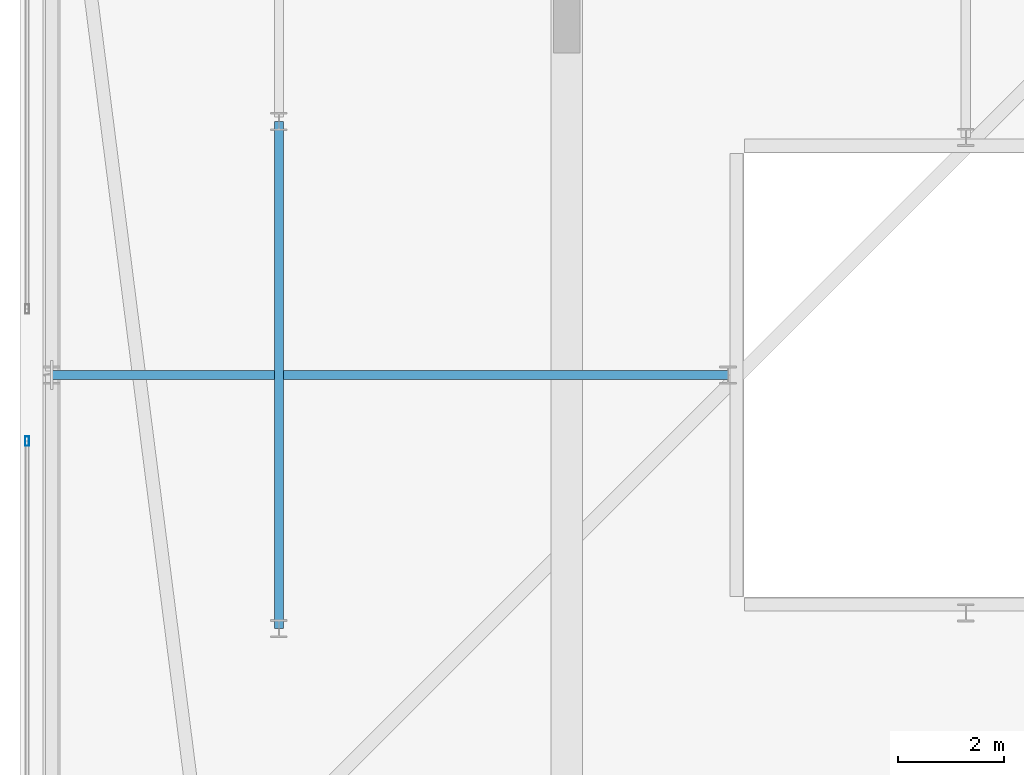
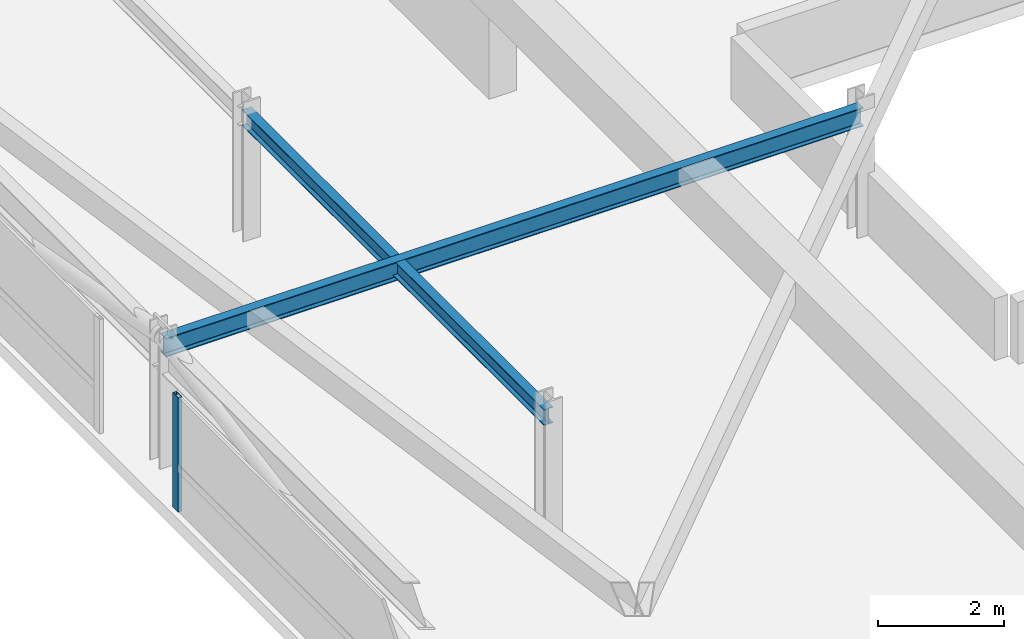
# One storey, part 12 of 42: 2 beams, 1 member, 1 element without a shape of its own.
"""IFC4 building model written with IfcOpenShell, lengths in metres."""

from ifc_helpers import new_model, si_unit, direction, frame, origin, origin_2d, place, context, subcontext, project, spatial, hollow_rectangle, i_section, extrude, material, material_profile, profile_set, type_object, element, aggregate, save


model = new_model("IFC4")

# Units and contexts
model_context = context("Model", 3, precision=1e-05, world=origin(), true_north=direction((0.0, 1.0)))
body_context = subcontext(model_context, "Body", "Model", "MODEL_VIEW")
ifc_project = project(units=[si_unit("LENGTHUNIT", "METRE"), si_unit("AREAUNIT", "SQUARE_METRE"), si_unit("VOLUMEUNIT", "CUBIC_METRE"), si_unit("PLANEANGLEUNIT", "RADIAN"), si_unit("MASSUNIT", "GRAM", prefix="KILO")], contexts=[model_context])

# Site, building, storey
site_placement = place(None, origin())
site = spatial("IfcSite", under=ifc_project, at=site_placement, CompositionType="ELEMENT")
building_placement = place(site_placement, origin())
building = spatial("IfcBuilding", under=site, at=building_placement, Name="Thornwick Lancets Civic Towers", CompositionType="ELEMENT")
storey_placement = place(building_placement, frame((0.0, 0.0, 284.10009765625)))
storey = spatial("IfcBuildingStorey", under=building, at=storey_placement, Name="C02", CompositionType="ELEMENT", Elevation=284.10009765625)

# Beams
ifc_material_1 = material(Name="Steel S355JR", Category="steel")
ifc_material_profile_1 = material_profile(ifc_material_1, i_section(OverallWidth=0.173095703125, OverallDepth=0.36328125, WebThickness=0.009033203125, FlangeThickness=0.015625, FilletRadius=0.01025390625, at=origin_2d()), Name="UKB 356x171x67")
ifc_profile_set_1 = profile_set([ifc_material_profile_1], Name="Steel S355JR")
beam_type_1 = type_object("IfcBeamType", Name="BM_JOIST_356_67", PredefinedType="JOIST", material=ifc_profile_set_1)
beam_1_placement = place(storey_placement, frame((21.0, 27.0, 2.25830078125), z_axis=(-1.0, 0.0, 0.0), x_axis=(0.0, -1.0, 0.0)))
element("IfcBeam", 1, at=beam_1_placement, inside=storey, type_object=beam_type_1, Name="BM-RADIN-C02-A11", PredefinedType="JOIST", context=body_context, shape_type="SweptSolid", body=[
    extrude(i_section(OverallWidth=0.173095703125, OverallDepth=0.36328125, WebThickness=0.009033203125, FlangeThickness=0.015625, FilletRadius=0.01025390625, at=origin_2d()), origin(), (0.0, 0.0, 1.0), 12.800048828125),
])
ifc_material_profile_2 = material_profile(ifc_material_1, i_section(OverallWidth=0.1669921875, OverallDepth=0.310302734375, WebThickness=0.0078125, FlangeThickness=0.013671875, FilletRadius=0.0087890625, at=origin_2d()), Name="UKB 305x165x54")
ifc_profile_set_2 = profile_set([ifc_material_profile_2], Name="Steel S355JR")
beam_type_2 = type_object("IfcBeamType", Name="BM_LINTEL_305_54", PredefinedType="LINTEL", material=ifc_profile_set_2)
beam_2_placement = place(storey_placement, frame((12.5, 22.199951171875, 2.28466796875), z_axis=(0.0, 1.0, 0.0), x_axis=(-1.0, 0.0, 0.0)))
element("IfcBeam", 2, at=beam_2_placement, inside=storey, type_object=beam_type_2, Name="BM-INSP-C02-A-0-2", PredefinedType="LINTEL", context=body_context, shape_type="SweptSolid", body=[
    extrude(i_section(OverallWidth=0.1669921875, OverallDepth=0.310302734375, WebThickness=0.0078125, FlangeThickness=0.013671875, FilletRadius=0.0087890625, at=origin_2d()), origin(), (0.0, 0.0, 1.0), 9.60009765625),
])

# Curtain wall, member
ifc_material_2 = material(Name="Crown ring acoustic-louvre and glazing screen wall", Category="glass")
curtain_wall_type = type_object("IfcCurtainWallType", Name="CW_SYS_07", PredefinedType="NOTDEFINED", material=ifc_material_2)
curtain_wall_placement = place(storey_placement, origin())
curtain_wall = element("IfcCurtainWall", 3, at=curtain_wall_placement, inside=storey, type_object=curtain_wall_type, Name="C02 Curtain Wall CW-C02-A-E6-S2", PredefinedType="NOTDEFINED")
ifc_material_3 = material(Name="Thermally broken bronze aluminium S355", Category="steel")
ifc_material_profile_3 = material_profile(ifc_material_3, hollow_rectangle(XDim=0.074951171875, YDim=0.179931640625, WallThickness=0.006103515625, at=origin_2d()), Name="RHS 180x75x6")
ifc_profile_set_3 = profile_set([ifc_material_profile_3], Name="Thermally broken bronze aluminium S355")
member_type = type_object("IfcMemberType", Name="CW_MUL_180", PredefinedType="MULLION", material=ifc_profile_set_3)
member_placement = place(storey_placement, frame((7.7353515625, 25.75, 0.0), z_axis=(0.0, 0.0, 1.0), x_axis=(1.0, 0.0, 0.0)))
member = element("IfcMember", 4, at=member_placement, type_object=member_type, Name="CW-C02-A-E6-S2 Mullion 0", PredefinedType="MULLION", context=body_context, shape_type="SweptSolid", body=[
    extrude(hollow_rectangle(XDim=0.074951171875, YDim=0.179931640625, WallThickness=0.006103515625, at=origin_2d()), origin(), (0.0, 0.0, 1.0), 2.219970703125),
])
aggregate(curtain_wall, [member])

save(model, "model.ifc")
